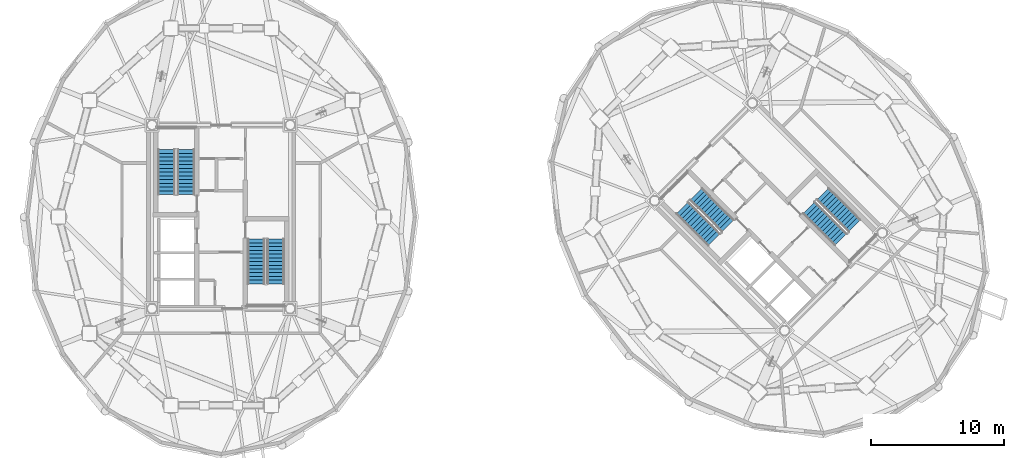
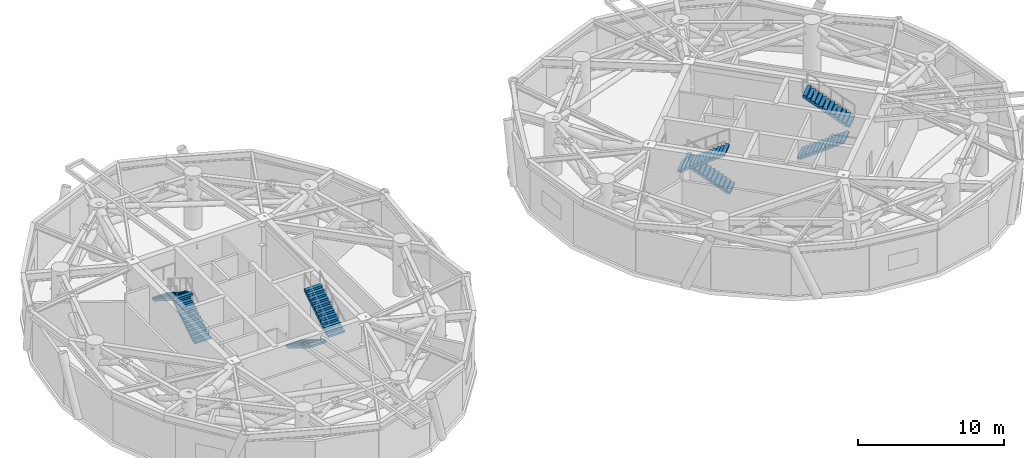
# One storey, part 13 of 16: 8 stair flights, 4 elements without a shape of their own.
"""IFC4 building model written with IfcOpenShell, lengths in metres."""

import ifcopenshell
import ifcopenshell.guid

model = None  # the IFC model being written
_history = None  # IfcOwnerHistory: only IFC2X3 demands one
_inside = {}  # id of a spatial element -> (the spatial element, [elements in it])
_under = {}  # id of a project, library or spatial element -> (it, [spatial elements below it])
_declared = {}  # id of a project -> (the project, [libraries it declares])
_typed = {}  # id of a type object -> (the type object, [elements of that type])
_made_of = {}  # id of a material, layer set ... -> (it, [elements and type objects made of it])


def new_model(schema):
    """Start an empty IFC model of exactly this schema.

    Asked for "IFC4X3", IfcOpenShell would pick the latest addendum, in which some entities
    have other attributes; the version numbers below select the first issue.
    IFC2X3 requires an IfcOwnerHistory on every rooted entity: one is made here for all.
    """
    global model, _history
    if schema == "IFC4X3":
        model = ifcopenshell.file(schema_version=(4, 3, 0, 0))
    else:
        model = ifcopenshell.file(schema=schema)
    _inside.clear()
    _under.clear()
    _declared.clear()
    _typed.clear()
    _made_of.clear()
    _history = None
    if model.schema == "IFC2X3":
        org = make("IfcOrganization", Name="unknown")
        user = make(
            "IfcPersonAndOrganization",
            ThePerson=make("IfcPerson", FamilyName="unknown"),
            TheOrganization=org,
        )
        app = make(
            "IfcApplication",
            ApplicationDeveloper=org,
            Version="unknown",
            ApplicationFullName="unknown",
            ApplicationIdentifier="unknown",
        )
        _history = make(
            "IfcOwnerHistory",
            OwningUser=user,
            OwningApplication=app,
            ChangeAction="ADDED",
            CreationDate=0,
        )
    return model


def make(cls, **values):
    """One entity of the class cls with the attributes given. An attribute that is None is left unset."""
    return model.create_entity(
        cls, **{name: value for name, value in values.items() if value is not None}
    )


def rooted(cls, **values):
    """An entity with a GlobalId (a new one), such as an element, a storey or a relation."""
    return make(cls, GlobalId=ifcopenshell.guid.new(), OwnerHistory=_history, **values)


def si_unit(unit_type, name, prefix=None):
    """IfcSIUnit, for example si_unit("LENGTHUNIT", "METRE", prefix="MILLI")."""
    return make("IfcSIUnit", UnitType=unit_type, Prefix=prefix, Name=name)


def assignment(units):
    """IfcUnitAssignment: the units of a project."""
    return None if units is None else make("IfcUnitAssignment", Units=units)


def point(xyz):
    """IfcCartesianPoint."""
    return None if xyz is None else make("IfcCartesianPoint", Coordinates=xyz)


def direction(xyz):
    """IfcDirection."""
    return None if xyz is None else make("IfcDirection", DirectionRatios=xyz)


def frame(location, z_axis=None, x_axis=None):
    """IfcAxis2Placement3D, a coordinate frame: its origin and axes. An axis left out is left unset."""
    return make(
        "IfcAxis2Placement3D",
        Location=point(location),
        Axis=direction(z_axis),
        RefDirection=direction(x_axis),
    )


def origin():
    """The frame at (0, 0, 0) with its axes left unset."""
    return frame((0.0, 0.0, 0.0))


def place(relative_to, where):
    """IfcLocalPlacement: puts the frame where relative to a parent placement (None: the world)."""
    return make(
        "IfcLocalPlacement", PlacementRelTo=relative_to, RelativePlacement=where
    )


def context(
    kind, dimensions, precision=None, world=None, true_north=None, identifier=None
):
    """IfcGeometricRepresentationContext, for example the 3D "Model" context."""
    return make(
        "IfcGeometricRepresentationContext",
        ContextIdentifier=identifier,
        ContextType=kind,
        CoordinateSpaceDimension=dimensions,
        Precision=precision,
        WorldCoordinateSystem=world,
        TrueNorth=true_north,
    )


def subcontext(parent, identifier, kind, view, scale=None):
    """IfcGeometricRepresentationSubContext, for example "Body" below "Model"."""
    return make(
        "IfcGeometricRepresentationSubContext",
        ContextIdentifier=identifier,
        ContextType=kind,
        ParentContext=parent,
        TargetScale=scale,
        TargetView=view,
    )


def project(units=None, contexts=None):
    """IfcProject with its units and contexts."""
    return rooted(
        "IfcProject",
        Name="project",
        RepresentationContexts=contexts,
        UnitsInContext=assignment(units),
    )


def spatial(cls, under=None, at=None, **own):
    """A site, building, storey or space (cls), placed at a placement, below another one or the project."""
    s = rooted(cls, ObjectPlacement=at, **own)
    if under is not None:
        _under.setdefault(under.id(), (under, []))[1].append(s)
    return s


def polyline(points):
    """IfcPolyline through the points."""
    return make("IfcPolyline", Points=[point(p) for p in points])


def outline(outer, holes=None, kind="AREA"):
    """IfcArbitraryClosedProfileDef: a profile drawn as a closed curve; with holes, ...WithVoids."""
    if holes is None:
        return make("IfcArbitraryClosedProfileDef", ProfileType=kind, OuterCurve=outer)
    return make(
        "IfcArbitraryProfileDefWithVoids",
        ProfileType=kind,
        OuterCurve=outer,
        InnerCurves=holes,
    )


def extrude(swept, where, along, depth):
    """IfcExtrudedAreaSolid: the profile swept, set in the frame where, extruded along a direction by depth."""
    return make(
        "IfcExtrudedAreaSolid",
        SweptArea=swept,
        Position=where,
        ExtrudedDirection=direction(along),
        Depth=depth,
    )


def shape(context_of_items, identifier, shape_type, items):
    """IfcShapeRepresentation: the items that make up one representation, for example the "Body"."""
    return make(
        "IfcShapeRepresentation",
        ContextOfItems=context_of_items,
        RepresentationIdentifier=identifier,
        RepresentationType=shape_type,
        Items=items,
    )


def material(Name=None, Category=None):
    """IfcMaterial."""
    return make("IfcMaterial", Name=Name, Category=Category)


def made_of(thing, what):
    """Note that an element or type object is made of a material, layer set ...; save() writes the relation."""
    if what is not None:
        _made_of.setdefault(what.id(), (what, []))[1].append(thing)
    return thing


def type_object(cls, material=None, **own):
    """A type object (cls), such as IfcWallType, which elements share."""
    return made_of(rooted(cls, **own), material)


def element(
    cls,
    number,
    at=None,
    inside=None,
    cuts=None,
    type_object=None,
    material=None,
    context=None,
    identifier="Body",
    shape_type=None,
    held_by="IfcProductDefinitionShape",
    body=None,
    shapes=None,
    **own,
):
    """One element of the class cls, such as IfcWall. Its Tag is "e" and its number.

    at: its placement. inside: the storey or other place that contains it. cuts: it is an
    opening in that element (IfcRelVoidsElement). A single representation is given by context,
    identifier, shape_type and body (its items); several are given by shapes. held_by: the class
    of the entity that holds the representations. save() writes the other relations.
    """
    e = rooted(cls, Tag="e%d" % number, ObjectPlacement=at, **own)
    if body is not None:
        shapes = [shape(context, identifier, shape_type, body)]
    if shapes is not None:
        e.Representation = make(held_by, Representations=shapes)
    if inside is not None:
        _inside.setdefault(inside.id(), (inside, []))[1].append(e)
    if cuts is not None:
        rooted(
            "IfcRelVoidsElement", RelatingBuildingElement=cuts, RelatedOpeningElement=e
        )
    if type_object is not None:
        _typed.setdefault(type_object.id(), (type_object, []))[1].append(e)
    return made_of(e, material)


def aggregate(whole, parts):
    """IfcRelAggregates: a whole, such as a stair, and the parts it consists of."""
    return rooted("IfcRelAggregates", RelatingObject=whole, RelatedObjects=parts)


def save(model, path):
    """Write the relations noted so far, then the file.

    IfcRelAggregates (storeys below a building ...), IfcRelContainedInSpatialStructure (elements
    in a storey), IfcRelDefinesByType, IfcRelAssociatesMaterial and IfcRelDeclares: one each for
    every whole, place, type object, material and project.
    """
    for whole, parts in _under.values():
        aggregate(whole, parts)
    for where, things in _inside.values():
        rooted(
            "IfcRelContainedInSpatialStructure",
            RelatedElements=things,
            RelatingStructure=where,
        )
    for kind, things in _typed.values():
        rooted("IfcRelDefinesByType", RelatedObjects=things, RelatingType=kind)
    for what, things in _made_of.values():
        rooted("IfcRelAssociatesMaterial", RelatedObjects=things, RelatingMaterial=what)
    for by, libraries in _declared.values():
        rooted("IfcRelDeclares", RelatingContext=by, RelatedDefinitions=libraries)
    model.write(path)


model = new_model("IFC4")

# Units and contexts
model_context = context("Model", 3, precision=1e-05, world=origin(), true_north=direction((0.0, 1.0)))
body_context = subcontext(model_context, "Body", "Model", "MODEL_VIEW")
ifc_project = project(units=[si_unit("LENGTHUNIT", "METRE"), si_unit("AREAUNIT", "SQUARE_METRE"), si_unit("VOLUMEUNIT", "CUBIC_METRE"), si_unit("PLANEANGLEUNIT", "RADIAN"), si_unit("MASSUNIT", "GRAM", prefix="KILO")], contexts=[model_context])

# Site, building, storey
site_placement = place(None, origin())
site = spatial("IfcSite", under=ifc_project, at=site_placement, CompositionType="ELEMENT")
building_placement = place(site_placement, origin())
building = spatial("IfcBuilding", under=site, at=building_placement, Name="Cununo Teusaquillo Station Towers", CompositionType="ELEMENT")
storey_placement = place(building_placement, frame((0.0, 0.0, 147.10009765625)))
storey = spatial("IfcBuildingStorey", under=building, at=storey_placement, Name="L46", CompositionType="ELEMENT", Elevation=147.10009765625)

# Stair, stair flights
ifc_material_1 = material(Name="Concrete C50/60", Category="concrete")
stair_type = type_object("IfcStairType", Name="ST-TWR-1300", PredefinedType="HALF_TURN_STAIR", material=ifc_material_1)
stair_1_placement = place(storey_placement, origin())
stair_1 = element("IfcStair", 1, at=stair_1_placement, inside=storey, type_object=stair_type, Name="L46 Tower A Protected Core Exit Stair 1", PredefinedType="HALF_TURN_STAIR")
ifc_material_2 = material(Name="Concrete C50/60", Category="concrete")
stair_flight_type = type_object("IfcStairFlightType", Name="SFL-TWR-1300", PredefinedType="STRAIGHT", material=ifc_material_2)
stair_flight_1_placement = place(storey_placement, frame((13.8701171875, 26.169921875, 0.0), z_axis=(0.0, 0.0, 1.0), x_axis=(0.0, 1.0, 0.0)))
stair_flight_1 = element("IfcStairFlight", 2, at=stair_flight_1_placement, type_object=stair_flight_type, Name="ST-T1-1 flight 1", NumberOfRisers=13, NumberOfTreads=12, PredefinedType="STRAIGHT", RiserHeight=0.173076923, TreadLength=0.28, context=body_context, shape_type="SweptSolid", body=[
    extrude(outline(polyline([(0.0, 0.0), (0.0, 0.173095703125), (0.280029296875, 0.173095703125), (0.280029296875, 0.34619140625), (0.56005859375, 0.34619140625), (0.56005859375, 0.519287109375), (0.840087890625, 0.519287109375), (0.840087890625, 0.6923828125), (1.1201171875, 0.6923828125), (1.1201171875, 0.865478515625), (1.39990234375, 0.865478515625), (1.39990234375, 1.03857421875), (1.679931640625, 1.03857421875), (1.679931640625, 1.21142578125), (1.9599609375, 1.21142578125), (1.9599609375, 1.384521484375), (2.239990234375, 1.384521484375), (2.239990234375, 1.5576171875), (2.52001953125, 1.5576171875), (2.52001953125, 1.730712890625), (2.800048828125, 1.730712890625), (2.800048828125, 1.90380859375), (3.080078125, 1.90380859375), (3.080078125, 2.076904296875), (3.360107421875, 2.076904296875), (3.360107421875, 2.25), (3.360107421875, 1.900634765625), (0.28515625, 0.0), (0.0, 0.0)])), frame((0.0, 0.64990234375, 0.0), z_axis=(0.0, -1.0, 0.0), x_axis=(1.0, 0.0, 0.0)), (0.0, 0.0, 1.0), 1.300048828125),
])
stair_flight_2_placement = place(storey_placement, frame((12.409912109375, 29.530029296875, 2.25), z_axis=(0.0, 0.0, 1.0), x_axis=(0.0, -1.0, 0.0)))
stair_flight_2 = element("IfcStairFlight", 3, at=stair_flight_2_placement, type_object=stair_flight_type, Name="ST-T1-1 flight 2", NumberOfRisers=13, NumberOfTreads=12, PredefinedType="STRAIGHT", RiserHeight=0.173076923, TreadLength=0.28, context=body_context, shape_type="SweptSolid", body=[
    extrude(outline(polyline([(0.0, 0.0), (0.0, 0.173095703125), (0.280029296875, 0.173095703125), (0.280029296875, 0.34619140625), (0.56005859375, 0.34619140625), (0.56005859375, 0.519287109375), (0.840087890625, 0.519287109375), (0.840087890625, 0.6923828125), (1.1201171875, 0.6923828125), (1.1201171875, 0.865478515625), (1.39990234375, 0.865478515625), (1.39990234375, 1.03857421875), (1.679931640625, 1.03857421875), (1.679931640625, 1.21142578125), (1.9599609375, 1.21142578125), (1.9599609375, 1.384521484375), (2.239990234375, 1.384521484375), (2.239990234375, 1.5576171875), (2.52001953125, 1.5576171875), (2.52001953125, 1.730712890625), (2.800048828125, 1.730712890625), (2.800048828125, 1.90380859375), (3.080078125, 1.90380859375), (3.080078125, 2.076904296875), (3.360107421875, 2.076904296875), (3.360107421875, 2.25), (3.360107421875, 1.900634765625), (0.28515625, 0.0), (0.0, 0.0)])), frame((0.0, 0.64990234375, 0.0), z_axis=(0.0, -1.0, 0.0), x_axis=(1.0, 0.0, 0.0)), (0.0, 0.0, 1.0), 1.300048828125),
])
aggregate(stair_1, [stair_flight_1, stair_flight_2])

stair_2_placement = place(storey_placement, origin())
stair_2 = element("IfcStair", 4, at=stair_2_placement, inside=storey, type_object=stair_type, Name="L46 Tower A Protected Core Exit Stair 2", PredefinedType="HALF_TURN_STAIR")
stair_flight_3_placement = place(storey_placement, frame((19.1298828125, 22.830078125, 0.0), z_axis=(0.0, 0.0, 1.0), x_axis=(0.0, -1.0, 0.0)))
stair_flight_3 = element("IfcStairFlight", 5, at=stair_flight_3_placement, type_object=stair_flight_type, Name="ST-T1-2 flight 1", NumberOfRisers=13, NumberOfTreads=12, PredefinedType="STRAIGHT", RiserHeight=0.173076923, TreadLength=0.28, context=body_context, shape_type="SweptSolid", body=[
    extrude(outline(polyline([(0.0, 0.0), (0.0, 0.173095703125), (0.280029296875, 0.173095703125), (0.280029296875, 0.34619140625), (0.56005859375, 0.34619140625), (0.56005859375, 0.519287109375), (0.840087890625, 0.519287109375), (0.840087890625, 0.6923828125), (1.1201171875, 0.6923828125), (1.1201171875, 0.865478515625), (1.39990234375, 0.865478515625), (1.39990234375, 1.03857421875), (1.679931640625, 1.03857421875), (1.679931640625, 1.21142578125), (1.9599609375, 1.21142578125), (1.9599609375, 1.384521484375), (2.239990234375, 1.384521484375), (2.239990234375, 1.5576171875), (2.52001953125, 1.5576171875), (2.52001953125, 1.730712890625), (2.800048828125, 1.730712890625), (2.800048828125, 1.90380859375), (3.080078125, 1.90380859375), (3.080078125, 2.076904296875), (3.360107421875, 2.076904296875), (3.360107421875, 2.25), (3.360107421875, 1.900634765625), (0.28515625, 0.0), (0.0, 0.0)])), frame((0.0, 0.64990234375, 0.0), z_axis=(0.0, -1.0, 0.0), x_axis=(1.0, 0.0, 0.0)), (0.0, 0.0, 1.0), 1.300048828125),
])
stair_flight_4_placement = place(storey_placement, frame((20.590087890625, 19.469970703125, 2.25), z_axis=(0.0, 0.0, 1.0), x_axis=(0.0, 1.0, 0.0)))
stair_flight_4 = element("IfcStairFlight", 6, at=stair_flight_4_placement, type_object=stair_flight_type, Name="ST-T1-2 flight 2", NumberOfRisers=13, NumberOfTreads=12, PredefinedType="STRAIGHT", RiserHeight=0.173076923, TreadLength=0.28, context=body_context, shape_type="SweptSolid", body=[
    extrude(outline(polyline([(0.0, 0.0), (0.0, 0.173095703125), (0.280029296875, 0.173095703125), (0.280029296875, 0.34619140625), (0.56005859375, 0.34619140625), (0.56005859375, 0.519287109375), (0.840087890625, 0.519287109375), (0.840087890625, 0.6923828125), (1.1201171875, 0.6923828125), (1.1201171875, 0.865478515625), (1.39990234375, 0.865478515625), (1.39990234375, 1.03857421875), (1.679931640625, 1.03857421875), (1.679931640625, 1.21142578125), (1.9599609375, 1.21142578125), (1.9599609375, 1.384521484375), (2.239990234375, 1.384521484375), (2.239990234375, 1.5576171875), (2.52001953125, 1.5576171875), (2.52001953125, 1.730712890625), (2.800048828125, 1.730712890625), (2.800048828125, 1.90380859375), (3.080078125, 1.90380859375), (3.080078125, 2.076904296875), (3.360107421875, 2.076904296875), (3.360107421875, 2.25), (3.360107421875, 1.900634765625), (0.28515625, 0.0), (0.0, 0.0)])), frame((0.0, 0.64990234375, 0.0), z_axis=(0.0, -1.0, 0.0), x_axis=(1.0, 0.0, 0.0)), (0.0, 0.0, 1.0), 1.300048828125),
])
aggregate(stair_2, [stair_flight_3, stair_flight_4])

stair_3_placement = place(storey_placement, origin())
stair_3 = element("IfcStair", 7, at=stair_3_placement, inside=storey, type_object=stair_type, Name="L46 Tower B Protected Core Exit Stair 1", PredefinedType="HALF_TURN_STAIR")
stair_flight_5_placement = place(storey_placement, frame((54.45947265625, 23.8212890625, 0.0), z_axis=(0.0, 0.0, 1.0), x_axis=(-0.707106781187, 0.707106781187, 0.0)))
stair_flight_5 = element("IfcStairFlight", 8, at=stair_flight_5_placement, type_object=stair_flight_type, Name="ST-T2-1 flight 1", NumberOfRisers=13, NumberOfTreads=12, PredefinedType="STRAIGHT", RiserHeight=0.173076923, TreadLength=0.28, context=body_context, shape_type="SweptSolid", body=[
    extrude(outline(polyline([(0.0, 0.0), (0.0, 0.173095703125), (0.280029296875, 0.173095703125), (0.280029296875, 0.34619140625), (0.56005859375, 0.34619140625), (0.56005859375, 0.519287109375), (0.840087890625, 0.519287109375), (0.840087890625, 0.6923828125), (1.1201171875, 0.6923828125), (1.1201171875, 0.865478515625), (1.39990234375, 0.865478515625), (1.39990234375, 1.03857421875), (1.679931640625, 1.03857421875), (1.679931640625, 1.21142578125), (1.9599609375, 1.21142578125), (1.9599609375, 1.384521484375), (2.239990234375, 1.384521484375), (2.239990234375, 1.5576171875), (2.52001953125, 1.5576171875), (2.52001953125, 1.730712890625), (2.800048828125, 1.730712890625), (2.800048828125, 1.90380859375), (3.080078125, 1.90380859375), (3.080078125, 2.076904296875), (3.360107421875, 2.076904296875), (3.360107421875, 2.25), (3.360107421875, 1.900634765625), (0.28515625, 0.0), (0.0, 0.0)])), frame((0.0, 0.64990234375, 0.0), z_axis=(0.0, -1.0, 0.0), x_axis=(1.0, 0.0, 0.0)), (0.0, 0.0, 1.0), 1.300048828125),
])
stair_flight_6_placement = place(storey_placement, frame((51.05126953125, 25.164794921875, 2.25), z_axis=(0.0, 0.0, 1.0), x_axis=(0.707106781187, -0.707106781187, 0.0)))
stair_flight_6 = element("IfcStairFlight", 9, at=stair_flight_6_placement, type_object=stair_flight_type, Name="ST-T2-1 flight 2", NumberOfRisers=13, NumberOfTreads=12, PredefinedType="STRAIGHT", RiserHeight=0.173076923, TreadLength=0.28, context=body_context, shape_type="SweptSolid", body=[
    extrude(outline(polyline([(0.0, 0.0), (0.0, 0.173095703125), (0.280029296875, 0.173095703125), (0.280029296875, 0.34619140625), (0.56005859375, 0.34619140625), (0.56005859375, 0.519287109375), (0.840087890625, 0.519287109375), (0.840087890625, 0.6923828125), (1.1201171875, 0.6923828125), (1.1201171875, 0.865478515625), (1.39990234375, 0.865478515625), (1.39990234375, 1.03857421875), (1.679931640625, 1.03857421875), (1.679931640625, 1.21142578125), (1.9599609375, 1.21142578125), (1.9599609375, 1.384521484375), (2.239990234375, 1.384521484375), (2.239990234375, 1.5576171875), (2.52001953125, 1.5576171875), (2.52001953125, 1.730712890625), (2.800048828125, 1.730712890625), (2.800048828125, 1.90380859375), (3.080078125, 1.90380859375), (3.080078125, 2.076904296875), (3.360107421875, 2.076904296875), (3.360107421875, 2.25), (3.360107421875, 1.900634765625), (0.28515625, 0.0), (0.0, 0.0)])), frame((0.0, 0.64990234375, 0.0), z_axis=(0.0, -1.0, 0.0), x_axis=(1.0, 0.0, 0.0)), (0.0, 0.0, 1.0), 1.300048828125),
])
aggregate(stair_3, [stair_flight_5, stair_flight_6])

stair_4_placement = place(storey_placement, origin())
stair_4 = element("IfcStair", 10, at=stair_4_placement, inside=storey, type_object=stair_type, Name="L46 Tower B Protected Core Exit Stair 2", PredefinedType="HALF_TURN_STAIR")
stair_flight_7_placement = place(storey_placement, frame((60.54052734375, 25.1787109375, 0.0), z_axis=(0.0, 0.0, 1.0), x_axis=(0.707106781187, -0.707106781187, 0.0)))
stair_flight_7 = element("IfcStairFlight", 11, at=stair_flight_7_placement, type_object=stair_flight_type, Name="ST-T2-2 flight 1", NumberOfRisers=13, NumberOfTreads=12, PredefinedType="STRAIGHT", RiserHeight=0.173076923, TreadLength=0.28, context=body_context, shape_type="SweptSolid", body=[
    extrude(outline(polyline([(0.0, 0.0), (0.0, 0.173095703125), (0.280029296875, 0.173095703125), (0.280029296875, 0.34619140625), (0.56005859375, 0.34619140625), (0.56005859375, 0.519287109375), (0.840087890625, 0.519287109375), (0.840087890625, 0.6923828125), (1.1201171875, 0.6923828125), (1.1201171875, 0.865478515625), (1.39990234375, 0.865478515625), (1.39990234375, 1.03857421875), (1.679931640625, 1.03857421875), (1.679931640625, 1.21142578125), (1.9599609375, 1.21142578125), (1.9599609375, 1.384521484375), (2.239990234375, 1.384521484375), (2.239990234375, 1.5576171875), (2.52001953125, 1.5576171875), (2.52001953125, 1.730712890625), (2.800048828125, 1.730712890625), (2.800048828125, 1.90380859375), (3.080078125, 1.90380859375), (3.080078125, 2.076904296875), (3.360107421875, 2.076904296875), (3.360107421875, 2.25), (3.360107421875, 1.900634765625), (0.28515625, 0.0), (0.0, 0.0)])), frame((0.0, 0.64990234375, 0.0), z_axis=(0.0, -1.0, 0.0), x_axis=(1.0, 0.0, 0.0)), (0.0, 0.0, 1.0), 1.300048828125),
])
stair_flight_8_placement = place(storey_placement, frame((63.94873046875, 23.835205078125, 2.25), z_axis=(0.0, 0.0, 1.0), x_axis=(-0.707106781187, 0.707106781187, 0.0)))
stair_flight_8 = element("IfcStairFlight", 12, at=stair_flight_8_placement, type_object=stair_flight_type, Name="ST-T2-2 flight 2", NumberOfRisers=13, NumberOfTreads=12, PredefinedType="STRAIGHT", RiserHeight=0.173076923, TreadLength=0.28, context=body_context, shape_type="SweptSolid", body=[
    extrude(outline(polyline([(0.0, 0.0), (0.0, 0.173095703125), (0.280029296875, 0.173095703125), (0.280029296875, 0.34619140625), (0.56005859375, 0.34619140625), (0.56005859375, 0.519287109375), (0.840087890625, 0.519287109375), (0.840087890625, 0.6923828125), (1.1201171875, 0.6923828125), (1.1201171875, 0.865478515625), (1.39990234375, 0.865478515625), (1.39990234375, 1.03857421875), (1.679931640625, 1.03857421875), (1.679931640625, 1.21142578125), (1.9599609375, 1.21142578125), (1.9599609375, 1.384521484375), (2.239990234375, 1.384521484375), (2.239990234375, 1.5576171875), (2.52001953125, 1.5576171875), (2.52001953125, 1.730712890625), (2.800048828125, 1.730712890625), (2.800048828125, 1.90380859375), (3.080078125, 1.90380859375), (3.080078125, 2.076904296875), (3.360107421875, 2.076904296875), (3.360107421875, 2.25), (3.360107421875, 1.900634765625), (0.28515625, 0.0), (0.0, 0.0)])), frame((0.0, 0.64990234375, 0.0), z_axis=(0.0, -1.0, 0.0), x_axis=(1.0, 0.0, 0.0)), (0.0, 0.0, 1.0), 1.300048828125),
])
aggregate(stair_4, [stair_flight_7, stair_flight_8])

save(model, "model.ifc")
